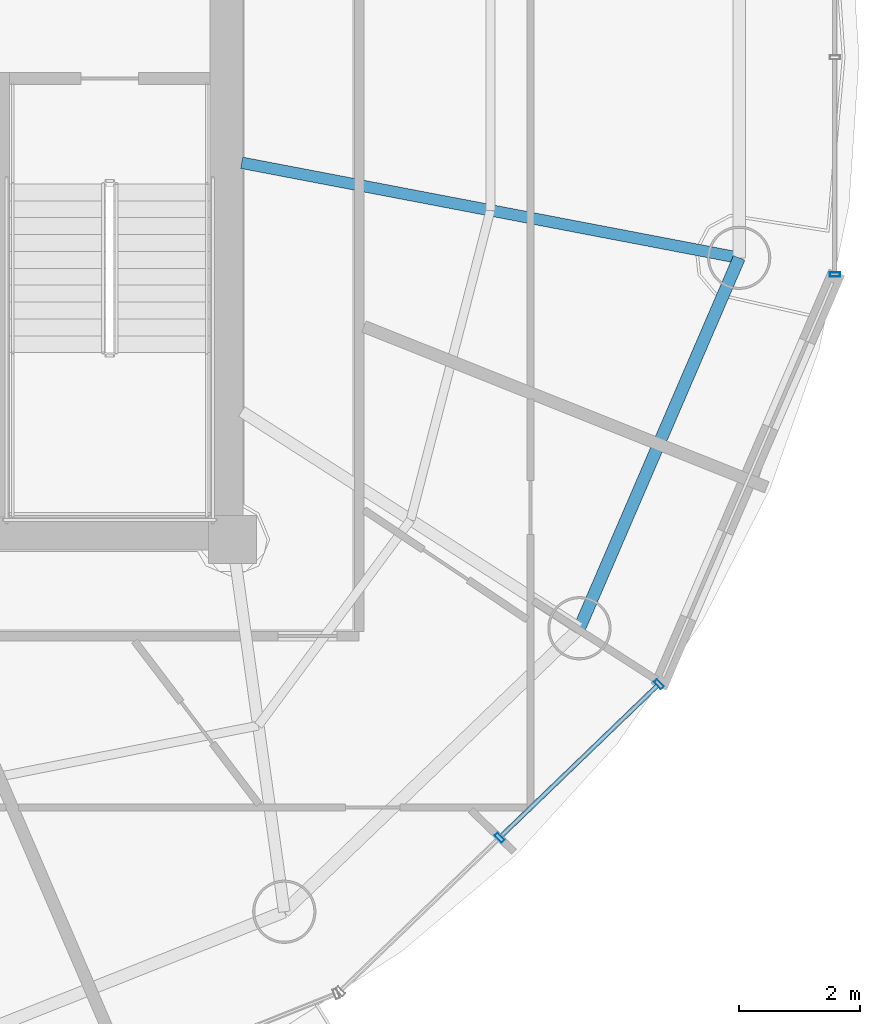
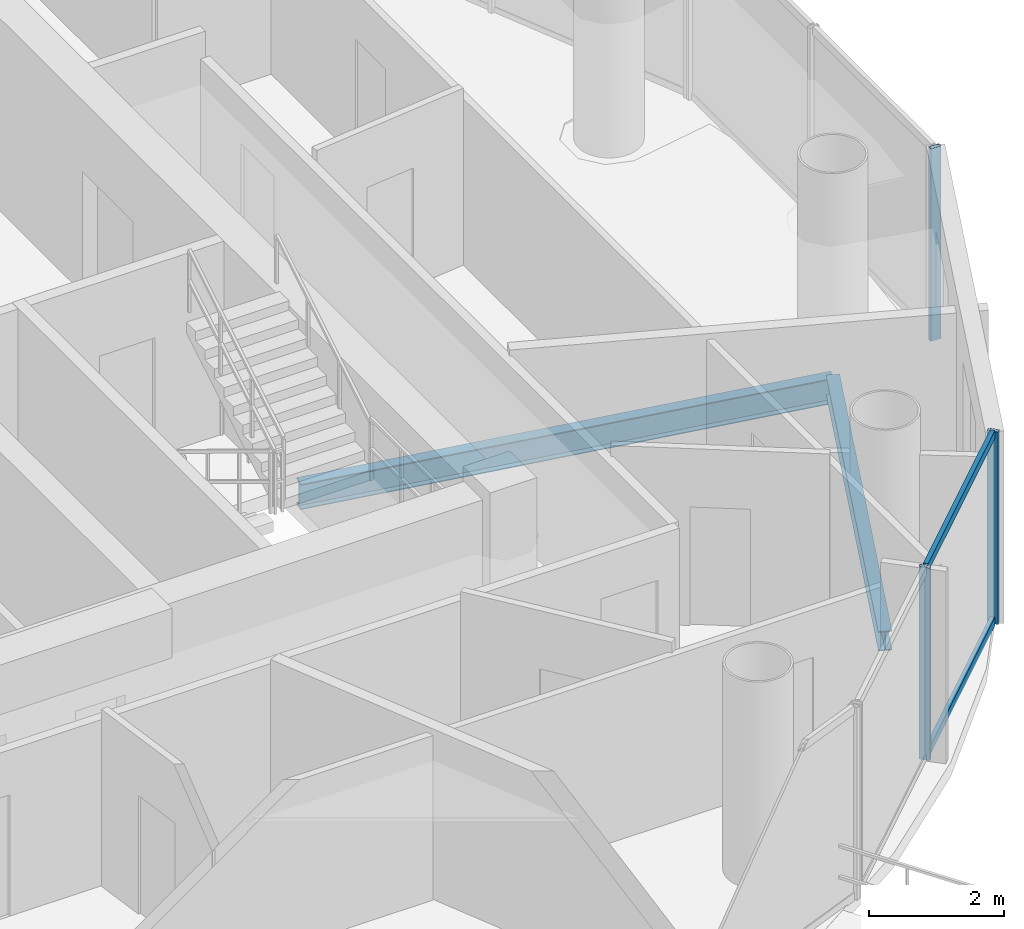
# One storey, part 11 of 24: 5 members, 2 beams, 2 elements without a shape of their own.
"""IFC4 building model written with IfcOpenShell, lengths in metres."""

from ifc_helpers import new_model, si_unit, direction, frame, origin, origin_2d, place, context, subcontext, project, spatial, hollow_rectangle, i_section, extrude, source, transform, mapped, material, material_profile, profile_set, type_object, element, aggregate, save


model = new_model("IFC4")

# Units and contexts
model_context = context("Model", 3, precision=1e-05, world=origin(), true_north=direction((-0.2419218956, 0.970295726276)))
body_context = subcontext(model_context, "Body", "Model", "MODEL_VIEW")
ifc_project = project(units=[si_unit("LENGTHUNIT", "METRE"), si_unit("AREAUNIT", "SQUARE_METRE"), si_unit("VOLUMEUNIT", "CUBIC_METRE"), si_unit("PLANEANGLEUNIT", "RADIAN"), si_unit("MASSUNIT", "GRAM", prefix="KILO")], contexts=[model_context])

# Site, building, storey
site_placement = place(None, origin())
site = spatial("IfcSite", under=ifc_project, at=site_placement, CompositionType="ELEMENT")
building_placement = place(site_placement, origin())
building = spatial("IfcBuilding", under=site, at=building_placement, Name="Cobrevalo Terracotta Tower", CompositionType="ELEMENT")
storey_placement = place(building_placement, frame((0.0, 0.0, 274.449951171875)))
storey = spatial("IfcBuildingStorey", under=building, at=storey_placement, Name="L72", CompositionType="ELEMENT", Elevation=274.449951171875)

# Beams
ifc_material_1 = material(Name="Steel S355", Category="steel")
ifc_material_profile_1 = material_profile(ifc_material_1, i_section(OverallWidth=0.19091796875, OverallDepth=0.4599609375, WebThickness=0.010009765625, FlangeThickness=0.01611328125, at=origin_2d()), Name="W 460x82")
ifc_profile_set_1 = profile_set([ifc_material_profile_1], Name="Steel S355")
beam_type_1 = type_object("IfcBeamType", Name="Structural Beam W 460x82 (Steel S355)", PredefinedType="BEAM", material=ifc_profile_set_1)
beam_1_placement = place(storey_placement, frame((55.408935546875, 23.4736328125, -0.489990234375), z_axis=(-0.982229562106, 0.187683476432, 0.0), x_axis=(-0.187683476432, -0.982229562106, 0.0)))
element("IfcBeam", 1, at=beam_1_placement, inside=storey, type_object=beam_type_1, Name="L72 radial floor girder 16", PredefinedType="BEAM", context=body_context, shape_type="SweptSolid", body=[
    extrude(i_section(OverallWidth=0.19091796875, OverallDepth=0.4599609375, WebThickness=0.010009765625, FlangeThickness=0.01611328125, at=origin_2d()), origin(), (0.0, 0.0, 1.0), 8.4033203125),
])
ifc_material_profile_2 = material_profile(ifc_material_1, i_section(OverallWidth=0.205078125, OverallDepth=0.35400390625, WebThickness=0.009521484375, FlangeThickness=0.016845703125, at=origin_2d()), Name="W 360x79")
ifc_profile_set_2 = profile_set([ifc_material_profile_2], Name="Steel S355")
beam_type_2 = type_object("IfcBeamType", Name="Structural Spandrel W 360x79 (Steel S355)", PredefinedType="SPANDREL", material=ifc_profile_set_2)
beam_2_placement = place(storey_placement, frame((52.758544921875, 17.32763671875, -0.43701171875), z_axis=(0.395987390706, 0.918255948198, 0.0), x_axis=(-0.918255948198, 0.395987390706, 0.0)))
element("IfcBeam", 2, at=beam_2_placement, inside=storey, type_object=beam_type_2, Name="L72 perimeter ring spandrel 15", PredefinedType="SPANDREL", context=body_context, shape_type="SweptSolid", body=[
    extrude(i_section(OverallWidth=0.205078125, OverallDepth=0.35400390625, WebThickness=0.009521484375, FlangeThickness=0.016845703125, at=origin_2d()), origin(), (0.0, 0.0, 1.0), 6.693115234375),
])

# Curtain wall, members
ifc_material_2 = material(Name="Anodized aluminium", Category="aluminium")
curtain_wall_type = type_object("IfcCurtainWallType", Name="Upper-tower triple-glazed penthouse curtain wall CW-U3", PredefinedType="NOTDEFINED", material=ifc_material_2)
curtain_wall_1_placement = place(storey_placement, origin())
curtain_wall_1 = element("IfcCurtainWall", 3, at=curtain_wall_1_placement, inside=storey, type_object=curtain_wall_type, Name="L72 curtain wall CW-L72-S14", PredefinedType="NOTDEFINED")
ifc_material_profile_3 = material_profile(ifc_material_2, hollow_rectangle(XDim=0.070068359375, YDim=0.169921875, WallThickness=0.00439453125, at=origin_2d()), Name="CWM 70x170")
ifc_profile_set_3 = profile_set([ifc_material_profile_3], Name="Anodized aluminium")
member_type_1 = type_object("IfcMemberType", Name="Upper tower unitised mullion 70x170", PredefinedType="MULLION", material=ifc_profile_set_3)
shared_shape_1 = source(origin(), body_context, "Body", "SweptSolid", [
    extrude(hollow_rectangle(XDim=0.070068359375, YDim=0.169921875, WallThickness=0.00439453125, at=origin_2d()), origin(), (0.0, 0.0, 1.0), 3.489990234375),
])
member_1_placement = place(storey_placement, frame((51.43359375, 13.85205078125, 0.0), z_axis=(0.0, 0.0, 1.0), x_axis=(0.71999418085, 0.69398010025, 0.0)))
member_1 = element("IfcMember", 4, at=member_1_placement, type_object=member_type_1, Name="CW-L72-S14 vertical mullion 02", PredefinedType="MULLION", context=body_context, shape_type="MappedRepresentation", body=[
    mapped(shared_shape_1, transform((0.0, 0.0, 0.0), scale=1.0)),
])
member_2_placement = place(storey_placement, frame((54.07666015625, 16.399658203125, 0.0), z_axis=(0.0, 0.0, 1.0), x_axis=(0.71999418085, 0.69398010025, 0.0)))
member_2 = element("IfcMember", 5, at=member_2_placement, type_object=member_type_1, Name="CW-L72-S14 vertical mullion 03", PredefinedType="MULLION", context=body_context, shape_type="MappedRepresentation", body=[
    mapped(shared_shape_1, transform((0.0, 0.0, 0.0), scale=1.0)),
])

# Curtain wall, member
curtain_wall_2_placement = place(storey_placement, origin())
curtain_wall_2 = element("IfcCurtainWall", 6, at=curtain_wall_2_placement, inside=storey, type_object=curtain_wall_type, Name="L72 curtain wall CW-L72-S16", PredefinedType="NOTDEFINED")
member_3_placement = place(storey_placement, frame((56.997802734375, 23.19775390625, 0.0), z_axis=(0.0, 0.0, 1.0), x_axis=(0.0, 1.0, 0.0)))
member_3 = element("IfcMember", 7, at=member_3_placement, type_object=member_type_1, Name="CW-L72-S16 vertical mullion 01", PredefinedType="MULLION", context=body_context, shape_type="MappedRepresentation", body=[
    mapped(shared_shape_1, transform((0.0, 0.0, 0.0), scale=1.0)),
])
aggregate(curtain_wall_2, [member_3])

# Member
ifc_material_profile_4 = material_profile(ifc_material_2, hollow_rectangle(XDim=0.074951171875, YDim=0.14990234375, WallThickness=0.00439453125, at=origin_2d()), Name="CWT 75x150")
ifc_profile_set_4 = profile_set([ifc_material_profile_4], Name="Anodized aluminium")
member_type_2 = type_object("IfcMemberType", Name="Tower unitised aluminium transom 75x150", PredefinedType="USERDEFINED", material=ifc_profile_set_4)
shared_shape_2 = source(origin(), body_context, "Body", "SweptSolid", [
    extrude(hollow_rectangle(XDim=0.074951171875, YDim=0.14990234375, WallThickness=0.00439453125, at=origin_2d()), origin(), (0.0, 0.0, 1.0), 3.59130859375),
])
member_4_placement = place(storey_placement, frame((51.462158203125, 13.879638671875, 0.050048828125), z_axis=(0.719971660756, 0.694003463758, 0.0), x_axis=(-0.694003463758, 0.719971660756, 0.0)))
member_4 = element("IfcMember", 8, at=member_4_placement, type_object=member_type_2, Name="CW-L72-S14 transom B02-T1", ObjectType="TRANSOM", PredefinedType="USERDEFINED", context=body_context, shape_type="MappedRepresentation", body=[
    mapped(shared_shape_2, transform((0.0, 0.0, 0.0), scale=1.0)),
])

member_5_placement = place(storey_placement, frame((51.462158203125, 13.879638671875, 3.43994140625), z_axis=(0.719971660756, 0.694003463758, 0.0), x_axis=(-0.694003463758, 0.719971660756, 0.0)))
member_5 = element("IfcMember", 9, at=member_5_placement, type_object=member_type_2, Name="CW-L72-S14 transom B02-T2", ObjectType="TRANSOM", PredefinedType="USERDEFINED", context=body_context, shape_type="MappedRepresentation", body=[
    mapped(shared_shape_2, transform((0.0, 0.0, 0.0), scale=1.0)),
])

aggregate(curtain_wall_1, [member_1, member_2, member_4, member_5])

save(model, "model.ifc")
